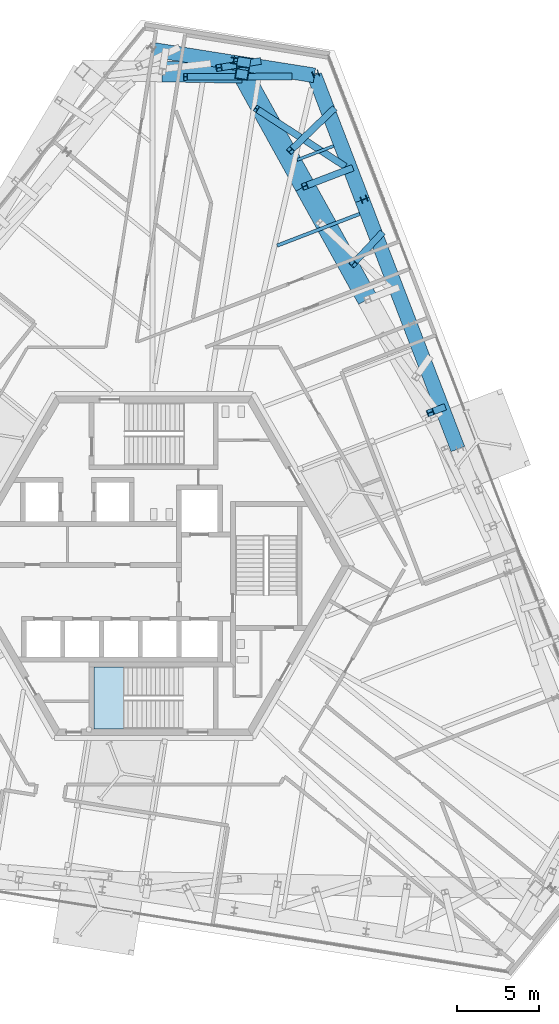
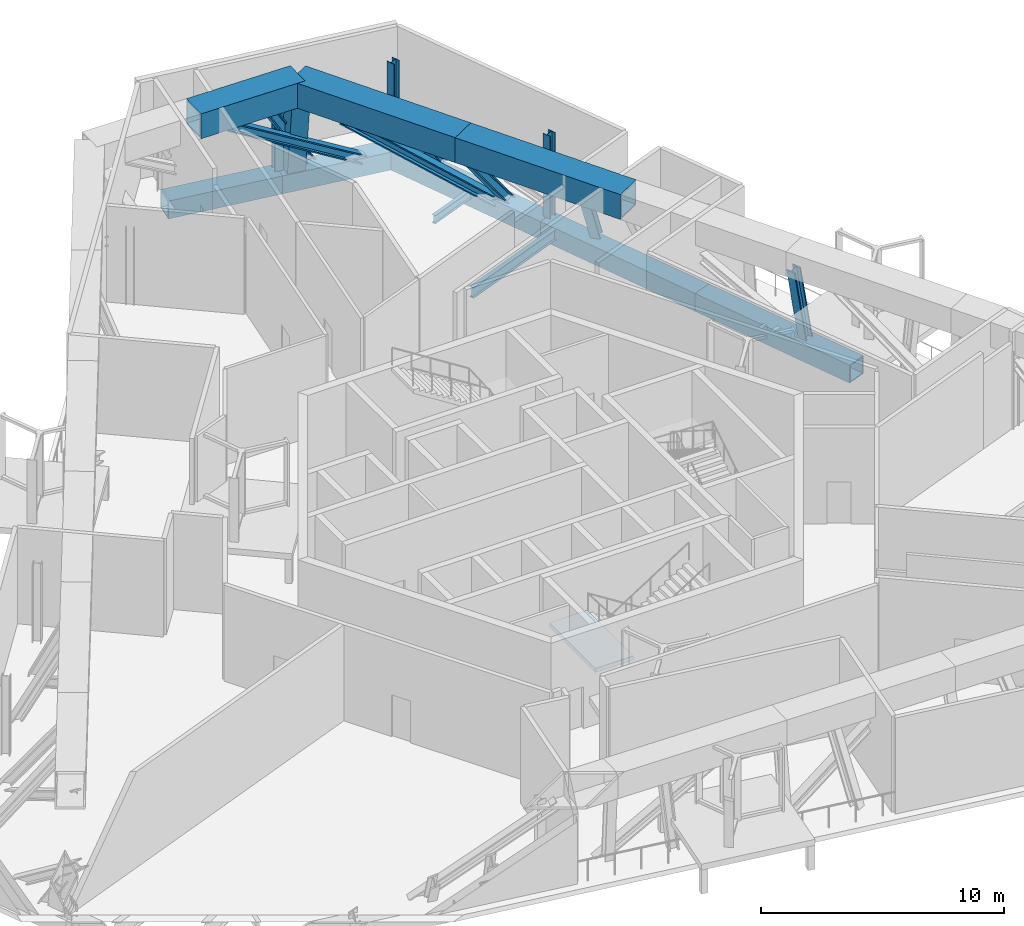
# One storey, part 6 of 14: 19 members, 2 beams, 1 slab, 1 element without a shape of its own.
"""IFC4 building model written with IfcOpenShell, lengths in metres."""

from ifc_helpers import new_model, si_unit, direction, frame, origin, origin_2d, place, context, subcontext, project, spatial, polyline, hollow_rectangle, i_section, outline, extrude, source, transform, mapped, material, layer, layer_set, material_profile, profile_set, type_object, element, aggregate, save


model = new_model("IFC4")

# Units and contexts
model_context = context("Model", 3, precision=1e-05, world=origin(), true_north=direction((0.0, 1.0)))
body_context = subcontext(model_context, "Body", "Model", "MODEL_VIEW")
ifc_project = project(units=[si_unit("LENGTHUNIT", "METRE"), si_unit("AREAUNIT", "SQUARE_METRE"), si_unit("VOLUMEUNIT", "CUBIC_METRE"), si_unit("PLANEANGLEUNIT", "RADIAN"), si_unit("MASSUNIT", "GRAM", prefix="KILO")], contexts=[model_context])

# Site, building, storey
site_placement = place(None, origin())
site = spatial("IfcSite", under=ifc_project, at=site_placement, CompositionType="ELEMENT")
building_placement = place(site_placement, origin())
building = spatial("IfcBuilding", under=site, at=building_placement, Name="Triune Harvest Tower", CompositionType="ELEMENT")
storey_placement = place(building_placement, frame((0.0, 0.0, 174.925048828125)))
storey = spatial("IfcBuildingStorey", under=building, at=storey_placement, Name="L45", CompositionType="ELEMENT", Elevation=174.925048828125)

# Members
ifc_material_1 = material(Name="Steel ASTM A572 Gr 50", Category="steel")
ifc_material_profile_1 = material_profile(ifc_material_1, hollow_rectangle(XDim=0.89990234375, YDim=0.89990234375, WallThickness=0.050048828125, at=origin_2d()), Name="Box 900x900x50")
ifc_profile_set_1 = profile_set([ifc_material_profile_1], Name="Steel ASTM A572 Gr 50")
member_type_1 = type_object("IfcMemberType", Name="TC-2 Belt truss chord Box 900x900x50", PredefinedType="CHORD", material=ifc_profile_set_1)
member_1_placement = place(storey_placement, frame((4.8837890625, 30.8359375, -0.699951171875), z_axis=(-0.987693136522, 0.156404181743, 0.0), x_axis=(-0.156404181743, -0.987693136522, 0.0)))
element("IfcMember", 1, at=member_1_placement, inside=storey, type_object=member_type_1, Name="truss/L45/TCB8", PredefinedType="CHORD", context=body_context, shape_type="SweptSolid", body=[
    extrude(hollow_rectangle(XDim=0.89990234375, YDim=0.89990234375, WallThickness=0.050048828125, at=origin_2d()), origin(), (0.0, 0.0, 1.0), 5.024658203125),
])
ifc_material_2 = material(Name="Steel ASTM A992 Gr 50", Category="steel")
ifc_material_profile_2 = material_profile(ifc_material_2, i_section(OverallWidth=0.411376953125, OverallDepth=0.434326171875, WebThickness=0.035888671875, FlangeThickness=0.057373046875, at=origin_2d()), Name="W14x311")
ifc_profile_set_2 = profile_set([ifc_material_profile_2], Name="Steel ASTM A992 Gr 50")
member_type_2 = type_object("IfcMemberType", Name="TD-2 Belt truss diagonal W14x311", PredefinedType="BRACE", material=ifc_profile_set_2)
member_2_placement = place(storey_placement, frame((11.644287109375, 24.530517578125, -0.324951171875), z_axis=(-0.714609326498, 0.463722322925, 0.523731913963), x_axis=(-0.544349690427, -0.838858399572, 0.0)))
element("IfcMember", 2, at=member_2_placement, inside=storey, type_object=member_type_2, Name="truss/L45/TD11", PredefinedType="BRACE", context=body_context, shape_type="SweptSolid", body=[
    extrude(i_section(OverallWidth=0.411376953125, OverallDepth=0.434326171875, WebThickness=0.035888671875, FlangeThickness=0.057373046875, at=origin_2d()), origin(), (0.0, 0.0, 1.0), 7.493896484375),
])

# Beams
ifc_material_3 = material(Name="Steel ASTM A992 Gr 50", Category="steel")
ifc_material_profile_3 = material_profile(ifc_material_3, i_section(OverallWidth=0.2099609375, OverallDepth=0.535888671875, WebThickness=0.010986328125, FlangeThickness=0.017333984375, at=origin_2d()), Name="W21x68")
ifc_profile_set_3 = profile_set([ifc_material_profile_3], Name="Steel ASTM A992 Gr 50")
beam_type_1 = type_object("IfcBeamType", Name="JT-2 Floor joist W21x68", PredefinedType="JOIST", material=ifc_profile_set_3)
shared_shape_1 = source(origin(), body_context, "Body", "SweptSolid", [
    extrude(i_section(OverallWidth=0.2099609375, OverallDepth=0.535888671875, WebThickness=0.010986328125, FlangeThickness=0.017333984375, at=origin_2d()), origin(), (0.0, 0.0, 1.0), 5.4150390625),
])
beam_1_placement = place(storey_placement, frame((12.622802734375, 21.562744140625, -0.51806640625), z_axis=(-0.933575487545, -0.35838081569, 0.0), x_axis=(0.35838081569, -0.933575487545, 0.0)))
element("IfcBeam", 3, at=beam_1_placement, inside=storey, type_object=beam_type_1, Name="beam/L45/JT9", PredefinedType="JOIST", context=body_context, shape_type="MappedRepresentation", body=[
    mapped(shared_shape_1, transform((0.0, 0.0, 0.0), scale=1.0)),
])
ifc_material_4 = material(Name="Steel ASTM A992 Gr 50", Category="steel")
ifc_material_profile_4 = material_profile(ifc_material_4, i_section(OverallWidth=0.180908203125, OverallDepth=0.41650390625, WebThickness=0.010986328125, FlangeThickness=0.01806640625, at=origin_2d()), Name="W16x57")
ifc_profile_set_4 = profile_set([ifc_material_profile_4], Name="Steel ASTM A992 Gr 50")
beam_type_2 = type_object("IfcBeamType", Name="JT-1 Floor joist W16x57", PredefinedType="JOIST", material=ifc_profile_set_4)
shared_shape_2 = source(origin(), body_context, "Body", "SweptSolid", [
    extrude(i_section(OverallWidth=0.180908203125, OverallDepth=0.41650390625, WebThickness=0.010986328125, FlangeThickness=0.01806640625, at=origin_2d()), origin(), (0.0, 0.0, 1.0), 2.3896484375),
])
beam_2_placement = place(storey_placement, frame((11.02490234375, 25.7255859375, -0.458251953125), z_axis=(-0.933571865816, -0.358390250086, 0.0), x_axis=(0.358390250086, -0.933571865816, 0.0)))
element("IfcBeam", 4, at=beam_2_placement, inside=storey, type_object=beam_type_2, Name="beam/L45/JT10", PredefinedType="JOIST", context=body_context, shape_type="MappedRepresentation", body=[
    mapped(shared_shape_2, transform((0.0, 0.0, 0.0), scale=1.0)),
])

# Members
ifc_material_5 = material(Name="Steel ASTM A992 Gr 50", Category="steel")
ifc_material_profile_5 = material_profile(ifc_material_5, i_section(OverallWidth=0.373291015625, OverallDepth=0.373291015625, WebThickness=0.016357421875, FlangeThickness=0.026123046875, at=origin_2d()), Name="W14x132")
ifc_profile_set_5 = profile_set([ifc_material_profile_5], Name="Steel ASTM A992 Gr 50")
member_type_3 = type_object("IfcMemberType", Name="WP-4 Roof edge post W14x132", PredefinedType="POST", material=ifc_profile_set_5)
shared_shape_3 = source(origin(), body_context, "Body", "SweptSolid", [
    extrude(i_section(OverallWidth=0.373291015625, OverallDepth=0.373291015625, WebThickness=0.016357421875, FlangeThickness=0.026123046875, at=origin_2d()), origin(), (0.0, 0.0, 1.0), 4.150634765625),
])
for number, where, z_axis, x_axis, name in (
    (5, (12.888671875, 22.460693359375, -0.25), (0.0, 0.0, 1.0), (-0.358367949545, 0.933580426497, 0.0), "post/L45/W5"),
    (6, (9.922607421875, 30.14306640625, -0.25), (0.0, 0.0, 1.0), (-0.358367949545, 0.933580426497, 0.0), "post/L45/W6"),
    (7, (4.902587890625, 30.954345703125, -0.25), (0.0, 0.0, 1.0), (-0.987688340595, 0.15643446504, 0.0), "post/L45/W7"),
):
    element("IfcMember", number, at=place(storey_placement, frame(where, z_axis=z_axis, x_axis=x_axis)), inside=storey, type_object=member_type_3, Name=name, PredefinedType="POST", context=body_context, shape_type="MappedRepresentation", body=[
        mapped(shared_shape_3, transform((0.0, 0.0, 0.0), scale=1.0)),
    ])
shared_shape_4 = source(origin(), body_context, "Body", "SweptSolid", [
    extrude(hollow_rectangle(XDim=0.89990234375, YDim=0.89990234375, WallThickness=0.050048828125, at=origin_2d()), origin(), (0.0, 0.0, 1.0), 8.175048828125),
])
for number, where, z_axis, x_axis, name in (
    (8, (15.706298828125, 14.78564453125, -0.699951171875), (-0.358368636722, 0.933580162714, 0.0), (-0.933580162714, -0.358368636722, 0.0), "truss/L45/TCB5"),
    (9, (12.776611328125, 22.417724609375, -0.699951171875), (-0.358368636722, 0.933580162714, 0.0), (-0.933580162714, -0.358368636722, 0.0), "truss/L45/TCB6"),
):
    element("IfcMember", number, at=place(storey_placement, frame(where, z_axis=z_axis, x_axis=x_axis)), inside=storey, type_object=member_type_1, Name=name, PredefinedType="CHORD", context=body_context, shape_type="MappedRepresentation", body=[
        mapped(shared_shape_4, transform((0.0, 0.0, 0.0), scale=1.0)),
    ])
shared_shape_5 = source(origin(), body_context, "Body", "SweptSolid", [
    extrude(hollow_rectangle(XDim=0.89990234375, YDim=0.89990234375, WallThickness=0.050048828125, at=origin_2d()), origin(), (0.0, 0.0, 1.0), 8.1748046875),
])
member_3_placement = place(storey_placement, frame((18.635986328125, 7.15380859375, -0.699951171875), z_axis=(-0.358378628473, 0.933576327171, 0.0), x_axis=(-0.933576327171, -0.358378628473, 0.0)))
element("IfcMember", 10, at=member_3_placement, inside=storey, type_object=member_type_1, Name="truss/L45/TCB4", PredefinedType="CHORD", context=body_context, shape_type="MappedRepresentation", body=[
    mapped(shared_shape_5, transform((0.0, 0.0, 0.0), scale=1.0)),
])
shared_shape_6 = source(origin(), body_context, "Body", "SweptSolid", [
    extrude(hollow_rectangle(XDim=0.89990234375, YDim=0.89990234375, WallThickness=0.050048828125, at=origin_2d()), origin(), (0.0, 0.0, 1.0), 5.02490234375),
])
member_4_placement = place(storey_placement, frame((9.846923828125, 30.0498046875, -0.699951171875), z_axis=(-0.987686818822, 0.156444072832, 0.0), x_axis=(-0.156444072832, -0.987686818822, 0.0)))
element("IfcMember", 11, at=member_4_placement, inside=storey, type_object=member_type_1, Name="truss/L45/TCB7", PredefinedType="CHORD", context=body_context, shape_type="MappedRepresentation", body=[
    mapped(shared_shape_6, transform((0.0, 0.0, 0.0), scale=1.0)),
])
ifc_material_6 = material(Name="Steel ASTM A572 Gr 50", Category="steel")
ifc_material_profile_6 = material_profile(ifc_material_6, hollow_rectangle(XDim=1.25, YDim=1.25, WallThickness=0.070068359375, at=origin_2d()), Name="Box 1250x1250x70")
ifc_profile_set_6 = profile_set([ifc_material_profile_6], Name="Steel ASTM A572 Gr 50")
member_type_4 = type_object("IfcMemberType", Name="TC-1 Belt truss chord Box 1250x1250x70", PredefinedType="CHORD", material=ifc_profile_set_6)
shared_shape_7 = source(origin(), body_context, "Body", "SweptSolid", [
    extrude(hollow_rectangle(XDim=1.25, YDim=1.25, WallThickness=0.070068359375, at=origin_2d()), origin(), (0.0, 0.0, 1.0), 7.92724609375),
])
for number, where, z_axis, x_axis, name in (
    (12, (13.1025390625, 16.326416015625, 4.18994140625), (-0.48481379599, 0.874617392474, 0.0), (-0.874617392474, -0.48481379599, 0.0), "truss/L45/TCT5"),
    (13, (9.25927734375, 23.259765625, 4.18994140625), (-0.48481379599, 0.874617392474, 0.0), (-0.874617392474, -0.48481379599, 0.0), "truss/L45/TCT6"),
):
    element("IfcMember", number, at=place(storey_placement, frame(where, z_axis=z_axis, x_axis=x_axis)), inside=storey, type_object=member_type_4, Name=name, PredefinedType="CHORD", context=body_context, shape_type="MappedRepresentation", body=[
        mapped(shared_shape_7, transform((0.0, 0.0, 0.0), scale=1.0)),
    ])
shared_shape_8 = source(origin(), body_context, "Body", "SweptSolid", [
    extrude(hollow_rectangle(XDim=1.25, YDim=1.25, WallThickness=0.070068359375, at=origin_2d()), origin(), (0.0, 0.0, 1.0), 4.88818359375),
])
member_5_placement = place(storey_placement, frame((5.416015625, 30.193115234375, 4.18994140625), z_axis=(-0.999848072246, 0.017430789611, 0.0), x_axis=(-0.017430789611, -0.999848072246, 0.0)))
element("IfcMember", 14, at=member_5_placement, inside=storey, type_object=member_type_4, Name="truss/L45/TCT7", PredefinedType="CHORD", context=body_context, shape_type="MappedRepresentation", body=[
    mapped(shared_shape_8, transform((0.0, 0.0, 0.0), scale=1.0)),
])
ifc_material_7 = material(Name="Steel ASTM A992 Gr 50", Category="steel")
ifc_material_profile_7 = material_profile(ifc_material_7, i_section(OverallWidth=0.411376953125, OverallDepth=0.434326171875, WebThickness=0.035888671875, FlangeThickness=0.057373046875, at=origin_2d()), Name="W14x311")
ifc_profile_set_7 = profile_set([ifc_material_profile_7], Name="Steel ASTM A992 Gr 50")
member_type_5 = type_object("IfcMemberType", Name="TV-1 Belt truss strut W14x311", PredefinedType="STRUT", material=ifc_profile_set_7)
shared_shape_9 = source(origin(), body_context, "Body", "SweptSolid", [
    extrude(i_section(OverallWidth=0.411376953125, OverallDepth=0.434326171875, WebThickness=0.035888671875, FlangeThickness=0.057373046875, at=origin_2d()), origin(), (0.0, 0.0, 1.0), 3.951904296875),
])
member_6_placement = place(storey_placement, frame((17.669677734375, 9.6708984375, -0.275146484375), z_axis=(-0.183175986052, -0.070304982168, 0.980562985033), x_axis=(0.358324900354, -0.933596950395, 0.0)))
element("IfcMember", 15, at=member_6_placement, inside=storey, type_object=member_type_5, Name="truss/L45/TS4", PredefinedType="STRUT", context=body_context, shape_type="MappedRepresentation", body=[
    mapped(shared_shape_9, transform((0.0, 0.0, 0.0), scale=1.0)),
])
shared_shape_10 = source(origin(), body_context, "Body", "SweptSolid", [
    extrude(i_section(OverallWidth=0.411376953125, OverallDepth=0.434326171875, WebThickness=0.035888671875, FlangeThickness=0.057373046875, at=origin_2d()), origin(), (0.0, 0.0, 1.0), 4.8896484375),
])
member_7_placement = place(storey_placement, frame((12.043212890625, 24.328369140625, -0.275146484375), z_axis=(-0.569362744084, -0.218547814685, 0.792504207147), x_axis=(0.358353564469, -0.933585948284, 0.0)))
element("IfcMember", 16, at=member_7_placement, inside=storey, type_object=member_type_5, Name="truss/L45/TS6", PredefinedType="STRUT", context=body_context, shape_type="MappedRepresentation", body=[
    mapped(shared_shape_10, transform((0.0, 0.0, 0.0), scale=1.0)),
])
ifc_material_8 = material(Name="Steel ASTM A572 Gr 50", Category="steel")
ifc_material_profile_8 = material_profile(ifc_material_8, hollow_rectangle(XDim=0.800048828125, YDim=0.800048828125, WallThickness=0.050048828125, at=origin_2d()), Name="Box 800x800x50")
ifc_profile_set_8 = profile_set([ifc_material_profile_8], Name="Steel ASTM A572 Gr 50")
member_type_6 = type_object("IfcMemberType", Name="TS-2 Belt truss raked strut Box 800x800x50", PredefinedType="STRUT", material=ifc_profile_set_8)
shared_shape_11 = source(origin(), body_context, "Body", "SweptSolid", [
    extrude(hollow_rectangle(XDim=0.800048828125, YDim=0.800048828125, WallThickness=0.050048828125, at=origin_2d()), origin(), (0.0, 0.0, 1.0), 3.9140625),
])
member_8_placement = place(storey_placement, frame((5.50244140625, 30.73779296875, -0.275146484375), z_axis=(-0.022080922644, -0.139159713046, 0.990023740685), x_axis=(0.987644230629, -0.156712710732, 0.0)))
element("IfcMember", 17, at=member_8_placement, inside=storey, type_object=member_type_6, Name="truss/L45/TS7", PredefinedType="STRUT", context=body_context, shape_type="MappedRepresentation", body=[
    mapped(shared_shape_11, transform((0.0, 0.0, 0.0), scale=1.0)),
])
shared_shape_12 = source(origin(), body_context, "Body", "SweptSolid", [
    extrude(i_section(OverallWidth=0.411376953125, OverallDepth=0.434326171875, WebThickness=0.035888671875, FlangeThickness=0.057373046875, at=origin_2d()), origin(), (0.0, 0.0, 1.0), 4.629638671875),
])
member_9_placement = place(storey_placement, frame((13.908935546875, 20.30517578125, -0.324951171875), z_axis=(-0.362761772321, -0.386914249676, 0.847762502084), x_axis=(0.729509297313, -0.683970894946, 0.0)))
element("IfcMember", 18, at=member_9_placement, inside=storey, type_object=member_type_2, Name="truss/L45/TD10", PredefinedType="BRACE", context=body_context, shape_type="MappedRepresentation", body=[
    mapped(shared_shape_12, transform((0.0, 0.0, 0.0), scale=1.0)),
])
shared_shape_13 = source(origin(), body_context, "Body", "SweptSolid", [
    extrude(i_section(OverallWidth=0.411376953125, OverallDepth=0.434326171875, WebThickness=0.035888671875, FlangeThickness=0.057373046875, at=origin_2d()), origin(), (0.0, 0.0, 1.0), 5.322265625),
])
member_10_placement = place(storey_placement, frame((10.979248046875, 27.93701171875, -0.324951171875), z_axis=(-0.487165507018, -0.467807329621, 0.737445639437), x_axis=(0.692630786718, -0.7212923078, 0.0)))
element("IfcMember", 19, at=member_10_placement, inside=storey, type_object=member_type_2, Name="truss/L45/TD12", PredefinedType="BRACE", context=body_context, shape_type="MappedRepresentation", body=[
    mapped(shared_shape_13, transform((0.0, 0.0, 0.0), scale=1.0)),
])
shared_shape_14 = source(origin(), body_context, "Body", "SweptSolid", [
    extrude(i_section(OverallWidth=0.411376953125, OverallDepth=0.434326171875, WebThickness=0.035888671875, FlangeThickness=0.057373046875, at=origin_2d()), origin(), (0.0, 0.0, 1.0), 7.510986328125),
])
member_11_placement = place(storey_placement, frame((8.3515625, 29.98291015625, -0.324951171875), z_axis=(-0.852602539003, -0.003510525132, 0.52254816687), x_axis=(0.004117387897, -0.999991523523, 0.0)))
element("IfcMember", 20, at=member_11_placement, inside=storey, type_object=member_type_2, Name="truss/L45/TD13", PredefinedType="BRACE", context=body_context, shape_type="MappedRepresentation", body=[
    mapped(shared_shape_14, transform((0.0, 0.0, 0.0), scale=1.0)),
])
shared_shape_15 = source(origin(), body_context, "Body", "SweptSolid", [
    extrude(i_section(OverallWidth=0.411376953125, OverallDepth=0.434326171875, WebThickness=0.035888671875, FlangeThickness=0.057373046875, at=origin_2d()), origin(), (0.0, 0.0, 1.0), 4.607666015625),
])
member_12_placement = place(storey_placement, frame((6.37939453125, 30.90283203125, -0.324951171875), z_axis=(-0.517080173851, -0.08419309317, 0.851786133295), x_axis=(0.160707680421, -0.98700204734, 0.0)))
element("IfcMember", 21, at=member_12_placement, inside=storey, type_object=member_type_2, Name="truss/L45/TD14", PredefinedType="BRACE", context=body_context, shape_type="MappedRepresentation", body=[
    mapped(shared_shape_15, transform((0.0, 0.0, 0.0), scale=1.0)),
])

# Stair, slab
ifc_material_9 = material(Name="Concrete 40 MPa", Category="concrete")
stair_type = type_object("IfcStairType", Name="Exit stair 1800 half turn", PredefinedType="HALF_TURN_STAIR", material=ifc_material_9)
stair_placement = place(storey_placement, origin())
stair = element("IfcStair", 22, at=stair_placement, inside=storey, type_object=stair_type, Name="Exit stair south", PredefinedType="HALF_TURN_STAIR")
ifc_material_10 = material(Name="Concrete 40 MPa", Category="concrete")
ifc_layer = layer(ifc_material_10, 0.199951171875)
ifc_layer_set = layer_set([ifc_layer], Name="Concrete 40 MPa")
slab_type = type_object("IfcSlabType", Name="Stair landing 200", PredefinedType="LANDING", material=ifc_layer_set)
slab_placement = place(storey_placement, frame((0.0, 0.0, 2.287353515625)))
slab = element("IfcSlab", 23, at=slab_placement, type_object=slab_type, Name="ST-2 landing 2", PredefinedType="LANDING", context=body_context, shape_type="SweptSolid", body=[
    extrude(outline(polyline([(-1.85009765625, -6.18994140625), (-3.64990234375, -6.18994140625), (-3.64990234375, -9.989990234375), (-1.85009765625, -9.989990234375), (-1.85009765625, -6.18994140625)])), origin(), (0.0, 0.0, 1.0), 0.2001953125),
])
aggregate(stair, [slab])

save(model, "model.ifc")
